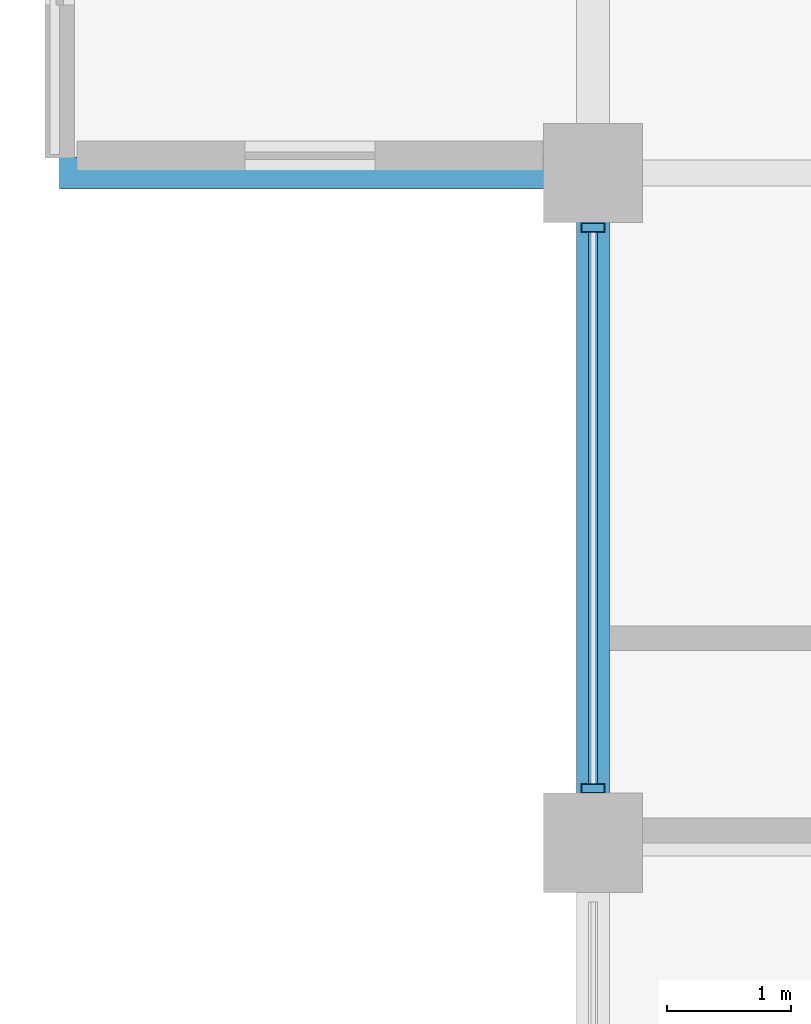
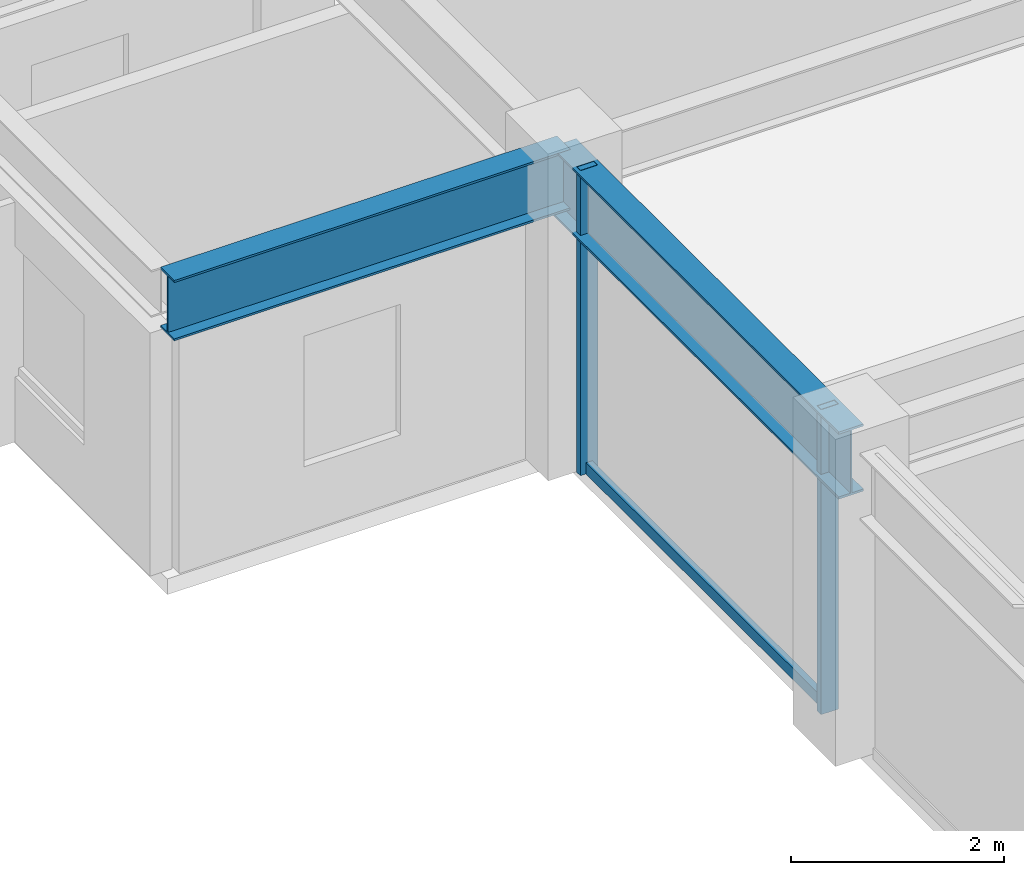
# One storey, part 5 of 28: 3 members, 2 beams, 1 element without a shape of its own.
"""IFC4 building model written with IfcOpenShell, lengths in metres."""

import ifcopenshell
import ifcopenshell.guid

model = None  # the IFC model being written
_history = None  # IfcOwnerHistory: only IFC2X3 demands one
_inside = {}  # id of a spatial element -> (the spatial element, [elements in it])
_under = {}  # id of a project, library or spatial element -> (it, [spatial elements below it])
_declared = {}  # id of a project -> (the project, [libraries it declares])
_typed = {}  # id of a type object -> (the type object, [elements of that type])
_made_of = {}  # id of a material, layer set ... -> (it, [elements and type objects made of it])


def new_model(schema):
    """Start an empty IFC model of exactly this schema.

    Asked for "IFC4X3", IfcOpenShell would pick the latest addendum, in which some entities
    have other attributes; the version numbers below select the first issue.
    IFC2X3 requires an IfcOwnerHistory on every rooted entity: one is made here for all.
    """
    global model, _history
    if schema == "IFC4X3":
        model = ifcopenshell.file(schema_version=(4, 3, 0, 0))
    else:
        model = ifcopenshell.file(schema=schema)
    _inside.clear()
    _under.clear()
    _declared.clear()
    _typed.clear()
    _made_of.clear()
    _history = None
    if model.schema == "IFC2X3":
        org = make("IfcOrganization", Name="unknown")
        user = make(
            "IfcPersonAndOrganization",
            ThePerson=make("IfcPerson", FamilyName="unknown"),
            TheOrganization=org,
        )
        app = make(
            "IfcApplication",
            ApplicationDeveloper=org,
            Version="unknown",
            ApplicationFullName="unknown",
            ApplicationIdentifier="unknown",
        )
        _history = make(
            "IfcOwnerHistory",
            OwningUser=user,
            OwningApplication=app,
            ChangeAction="ADDED",
            CreationDate=0,
        )
    return model


def make(cls, **values):
    """One entity of the class cls with the attributes given. An attribute that is None is left unset."""
    return model.create_entity(
        cls, **{name: value for name, value in values.items() if value is not None}
    )


def rooted(cls, **values):
    """An entity with a GlobalId (a new one), such as an element, a storey or a relation."""
    return make(cls, GlobalId=ifcopenshell.guid.new(), OwnerHistory=_history, **values)


def si_unit(unit_type, name, prefix=None):
    """IfcSIUnit, for example si_unit("LENGTHUNIT", "METRE", prefix="MILLI")."""
    return make("IfcSIUnit", UnitType=unit_type, Prefix=prefix, Name=name)


def assignment(units):
    """IfcUnitAssignment: the units of a project."""
    return None if units is None else make("IfcUnitAssignment", Units=units)


def point(xyz):
    """IfcCartesianPoint."""
    return None if xyz is None else make("IfcCartesianPoint", Coordinates=xyz)


def direction(xyz):
    """IfcDirection."""
    return None if xyz is None else make("IfcDirection", DirectionRatios=xyz)


def frame(location, z_axis=None, x_axis=None):
    """IfcAxis2Placement3D, a coordinate frame: its origin and axes. An axis left out is left unset."""
    return make(
        "IfcAxis2Placement3D",
        Location=point(location),
        Axis=direction(z_axis),
        RefDirection=direction(x_axis),
    )


def frame_2d(location, x_axis=None):
    """IfcAxis2Placement2D, a coordinate frame in the plane: its origin and x axis."""
    return make(
        "IfcAxis2Placement2D", Location=point(location), RefDirection=direction(x_axis)
    )


def origin():
    """The frame at (0, 0, 0) with its axes left unset."""
    return frame((0.0, 0.0, 0.0))


def origin_2d():
    """The frame at (0, 0) in the plane with its x axis left unset."""
    return frame_2d((0.0, 0.0))


def place(relative_to, where):
    """IfcLocalPlacement: puts the frame where relative to a parent placement (None: the world)."""
    return make(
        "IfcLocalPlacement", PlacementRelTo=relative_to, RelativePlacement=where
    )


def context(
    kind, dimensions, precision=None, world=None, true_north=None, identifier=None
):
    """IfcGeometricRepresentationContext, for example the 3D "Model" context."""
    return make(
        "IfcGeometricRepresentationContext",
        ContextIdentifier=identifier,
        ContextType=kind,
        CoordinateSpaceDimension=dimensions,
        Precision=precision,
        WorldCoordinateSystem=world,
        TrueNorth=true_north,
    )


def subcontext(parent, identifier, kind, view, scale=None):
    """IfcGeometricRepresentationSubContext, for example "Body" below "Model"."""
    return make(
        "IfcGeometricRepresentationSubContext",
        ContextIdentifier=identifier,
        ContextType=kind,
        ParentContext=parent,
        TargetScale=scale,
        TargetView=view,
    )


def project(units=None, contexts=None):
    """IfcProject with its units and contexts."""
    return rooted(
        "IfcProject",
        Name="project",
        RepresentationContexts=contexts,
        UnitsInContext=assignment(units),
    )


def spatial(cls, under=None, at=None, **own):
    """A site, building, storey or space (cls), placed at a placement, below another one or the project."""
    s = rooted(cls, ObjectPlacement=at, **own)
    if under is not None:
        _under.setdefault(under.id(), (under, []))[1].append(s)
    return s


def profile(cls, at=None, kind="AREA", **sizes):
    """A parametric profile (cls). Its sizes go by their IFC names, for example OverallWidth=200.0."""
    return make(cls, ProfileType=kind, Position=at, **sizes)


def hollow_rectangle(**sizes):
    """IfcRectangleHollowProfileDef."""
    return profile("IfcRectangleHollowProfileDef", **sizes)


def i_section(**sizes):
    """IfcIShapeProfileDef."""
    return profile("IfcIShapeProfileDef", **sizes)


def extrude(swept, where, along, depth):
    """IfcExtrudedAreaSolid: the profile swept, set in the frame where, extruded along a direction by depth."""
    return make(
        "IfcExtrudedAreaSolid",
        SweptArea=swept,
        Position=where,
        ExtrudedDirection=direction(along),
        Depth=depth,
    )


def shape(context_of_items, identifier, shape_type, items):
    """IfcShapeRepresentation: the items that make up one representation, for example the "Body"."""
    return make(
        "IfcShapeRepresentation",
        ContextOfItems=context_of_items,
        RepresentationIdentifier=identifier,
        RepresentationType=shape_type,
        Items=items,
    )


def material(Name=None, Category=None):
    """IfcMaterial."""
    return make("IfcMaterial", Name=Name, Category=Category)


def layer(
    of_material, thickness, ventilated=None, Name=None, Category=None, Priority=None
):
    """IfcMaterialLayer: one layer of a wall or slab, of a material (None: an air gap)."""
    return make(
        "IfcMaterialLayer",
        Material=of_material,
        LayerThickness=thickness,
        IsVentilated=ventilated,
        Name=Name,
        Category=Category,
        Priority=Priority,
    )


def layer_set(layers, Name=None):
    """IfcMaterialLayerSet."""
    return make("IfcMaterialLayerSet", MaterialLayers=layers, LayerSetName=Name)


def material_profile(
    of_material, cross_section, Name=None, Category=None, Priority=None
):
    """IfcMaterialProfile: a cross section and its material."""
    return make(
        "IfcMaterialProfile",
        Name=Name,
        Material=of_material,
        Profile=cross_section,
        Priority=Priority,
        Category=Category,
    )


def profile_set(profiles, Name=None, composite=None):
    """IfcMaterialProfileSet."""
    return make(
        "IfcMaterialProfileSet",
        Name=Name,
        MaterialProfiles=profiles,
        CompositeProfile=composite,
    )


def made_of(thing, what):
    """Note that an element or type object is made of a material, layer set ...; save() writes the relation."""
    if what is not None:
        _made_of.setdefault(what.id(), (what, []))[1].append(thing)
    return thing


def type_object(cls, material=None, **own):
    """A type object (cls), such as IfcWallType, which elements share."""
    return made_of(rooted(cls, **own), material)


def element(
    cls,
    number,
    at=None,
    inside=None,
    cuts=None,
    type_object=None,
    material=None,
    context=None,
    identifier="Body",
    shape_type=None,
    held_by="IfcProductDefinitionShape",
    body=None,
    shapes=None,
    **own,
):
    """One element of the class cls, such as IfcWall. Its Tag is "e" and its number.

    at: its placement. inside: the storey or other place that contains it. cuts: it is an
    opening in that element (IfcRelVoidsElement). A single representation is given by context,
    identifier, shape_type and body (its items); several are given by shapes. held_by: the class
    of the entity that holds the representations. save() writes the other relations.
    """
    e = rooted(cls, Tag="e%d" % number, ObjectPlacement=at, **own)
    if body is not None:
        shapes = [shape(context, identifier, shape_type, body)]
    if shapes is not None:
        e.Representation = make(held_by, Representations=shapes)
    if inside is not None:
        _inside.setdefault(inside.id(), (inside, []))[1].append(e)
    if cuts is not None:
        rooted(
            "IfcRelVoidsElement", RelatingBuildingElement=cuts, RelatedOpeningElement=e
        )
    if type_object is not None:
        _typed.setdefault(type_object.id(), (type_object, []))[1].append(e)
    return made_of(e, material)


def aggregate(whole, parts):
    """IfcRelAggregates: a whole, such as a stair, and the parts it consists of."""
    return rooted("IfcRelAggregates", RelatingObject=whole, RelatedObjects=parts)


def save(model, path):
    """Write the relations noted so far, then the file.

    IfcRelAggregates (storeys below a building ...), IfcRelContainedInSpatialStructure (elements
    in a storey), IfcRelDefinesByType, IfcRelAssociatesMaterial and IfcRelDeclares: one each for
    every whole, place, type object, material and project.
    """
    for whole, parts in _under.values():
        aggregate(whole, parts)
    for where, things in _inside.values():
        rooted(
            "IfcRelContainedInSpatialStructure",
            RelatedElements=things,
            RelatingStructure=where,
        )
    for kind, things in _typed.values():
        rooted("IfcRelDefinesByType", RelatedObjects=things, RelatingType=kind)
    for what, things in _made_of.values():
        rooted("IfcRelAssociatesMaterial", RelatedObjects=things, RelatingMaterial=what)
    for by, libraries in _declared.values():
        rooted("IfcRelDeclares", RelatingContext=by, RelatedDefinitions=libraries)
    model.write(path)


model = new_model("IFC4")

# Units and contexts
model_context = context("Model", 3, precision=1e-05, world=origin(), true_north=direction((0.0, 1.0)))
body_context = subcontext(model_context, "Body", "Model", "MODEL_VIEW")
ifc_project = project(units=[si_unit("LENGTHUNIT", "METRE"), si_unit("AREAUNIT", "SQUARE_METRE"), si_unit("VOLUMEUNIT", "CUBIC_METRE"), si_unit("PLANEANGLEUNIT", "RADIAN"), si_unit("MASSUNIT", "GRAM", prefix="KILO")], contexts=[model_context])

# Site, building, storey
site_placement = place(None, origin())
site = spatial("IfcSite", under=ifc_project, at=site_placement, CompositionType="ELEMENT")
building_placement = place(site_placement, origin())
building = spatial("IfcBuilding", under=site, at=building_placement, Name="Surkhivell Harbour Commons", CompositionType="ELEMENT")
storey_placement = place(building_placement, frame((0.0, 0.0, 246.0)))
storey = spatial("IfcBuildingStorey", under=building, at=storey_placement, Name="L64", CompositionType="ELEMENT", Elevation=246.0)

# Beams
ifc_material_1 = material(Name="Steel S460", Category="steel")
ifc_material_profile_1 = material_profile(ifc_material_1, i_section(OverallWidth=0.256103515625, OverallDepth=0.693115234375, WebThickness=0.014404296875, FlangeThickness=0.023681640625, at=origin_2d()), Name="UB686x254x170")
ifc_profile_set_1 = profile_set([ifc_material_profile_1], Name="Steel S460")
beam_type_1 = type_object("IfcBeamType", Name="BM-CNT-686", PredefinedType="BEAM", material=ifc_profile_set_1)
beam_1_placement = place(storey_placement, frame((-27.0, 0.0, 3.153564453125), z_axis=(-1.0, 0.0, 0.0), x_axis=(0.0, -1.0, 0.0)))
element("IfcBeam", 1, at=beam_1_placement, inside=storey, type_object=beam_type_1, Name="L64 Box Cantilever Outrigger (-27.0,0.0)", PredefinedType="BEAM", context=body_context, shape_type="SweptSolid", body=[
    extrude(i_section(OverallWidth=0.256103515625, OverallDepth=0.693115234375, WebThickness=0.014404296875, FlangeThickness=0.023681640625, at=origin_2d()), origin(), (0.0, 0.0, 1.0), 4.300048828125),
])
ifc_material_2 = material(Name="Steel S355", Category="steel")
ifc_material_profile_2 = material_profile(ifc_material_2, i_section(OverallWidth=0.26806640625, OverallDepth=0.77001953125, WebThickness=0.015625, FlangeThickness=0.025390625, at=origin_2d()), Name="UB762x267x197")
ifc_profile_set_2 = profile_set([ifc_material_profile_2], Name="Steel S355")
beam_type_2 = type_object("IfcBeamType", Name="BM-SPN-762", PredefinedType="SPANDREL", material=ifc_profile_set_2)
beam_2_placement = place(storey_placement, frame((-27.0, -5.39990234375, 3.114990234375), z_axis=(0.0, 1.0, 0.0), x_axis=(-1.0, 0.0, 0.0)))
element("IfcBeam", 2, at=beam_2_placement, inside=storey, type_object=beam_type_2, Name="L64 Tube Spandrel (-27.0,-5.4)", PredefinedType="SPANDREL", context=body_context, shape_type="SweptSolid", body=[
    extrude(i_section(OverallWidth=0.26806640625, OverallDepth=0.77001953125, WebThickness=0.015625, FlangeThickness=0.025390625, at=origin_2d()), origin(), (0.0, 0.0, 1.0), 5.39990234375),
])

# Curtain wall, members
ifc_material_3 = material(Name="Anodised pale-metal aluminium and insulated glazing", Category="aluminium")
ifc_layer = layer(ifc_material_3, 0.18994140625)
ifc_layer_set = layer_set([ifc_layer], Name="Anodised pale-metal aluminium and insulated glazing")
curtain_wall_type = type_object("IfcCurtainWallType", Name="CW-SYS-Z3", PredefinedType="NOTDEFINED", material=ifc_layer_set)
curtain_wall_placement = place(storey_placement, origin())
curtain_wall = element("IfcCurtainWall", 3, at=curtain_wall_placement, inside=storey, type_object=curtain_wall_type, Name="L64 Curtain Wall CW-L64-E12R1S1", PredefinedType="NOTDEFINED")
ifc_material_4 = material(Name="Anodised pale-metal aluminium alloy 6063-T6", Category="aluminium")
ifc_material_profile_3 = material_profile(ifc_material_4, hollow_rectangle(XDim=0.074951171875, YDim=0.18994140625, WallThickness=0.00390625, at=origin_2d()), Name="ALU-MULL-75x190")
ifc_profile_set_3 = profile_set([ifc_material_profile_3], Name="Anodised pale-metal aluminium alloy 6063-T6")
member_type_1 = type_object("IfcMemberType", Name="CWM-190", PredefinedType="MULLION", material=ifc_profile_set_3)
member_1_placement = place(storey_placement, frame((-27.0, -4.96044921875, 0.0), z_axis=(0.0, 0.0, 1.0), x_axis=(0.0, 1.0, 0.0)))
member_1 = element("IfcMember", 4, at=member_1_placement, type_object=member_type_1, Name="CW-Z3 mullion 2", PredefinedType="MULLION", context=body_context, shape_type="SweptSolid", body=[
    extrude(hollow_rectangle(XDim=0.074951171875, YDim=0.18994140625, WallThickness=0.00390625, at=origin_2d()), origin(), (0.0, 0.0, 1.0), 3.5),
])
member_2_placement = place(storey_placement, frame((-27.0, -0.439453125, 0.0), z_axis=(0.0, 0.0, 1.0), x_axis=(0.0, 1.0, 0.0)))
member_2 = element("IfcMember", 5, at=member_2_placement, type_object=member_type_1, Name="CW-Z3 mullion 3", PredefinedType="MULLION", context=body_context, shape_type="SweptSolid", body=[
    extrude(hollow_rectangle(XDim=0.074951171875, YDim=0.18994140625, WallThickness=0.00390625, at=origin_2d()), origin(), (0.0, 0.0, 1.0), 3.5),
])
ifc_material_5 = material(Name="Champagne anodised aluminium alloy 6063-T6", Category="aluminium")
ifc_material_profile_4 = material_profile(ifc_material_5, hollow_rectangle(XDim=0.070068359375, YDim=0.1298828125, WallThickness=0.00341796875, at=origin_2d()), Name="ALU-TRAN-70x130")
ifc_profile_set_4 = profile_set([ifc_material_profile_4], Name="Champagne anodised aluminium alloy 6063-T6")
member_type_2 = type_object("IfcMemberType", Name="CWT-130", PredefinedType="USERDEFINED", material=ifc_profile_set_4)
member_3_placement = place(storey_placement, frame((-27.0, -4.923095703125, 0.06494140625), z_axis=(0.0, 1.0, 0.0), x_axis=(-1.0, 0.0, 0.0)))
member_3 = element("IfcMember", 6, at=member_3_placement, type_object=member_type_2, Name="CW-Z3 transom 2.1", ObjectType="TRANSOM", PredefinedType="USERDEFINED", context=body_context, shape_type="SweptSolid", body=[
    extrude(hollow_rectangle(XDim=0.070068359375, YDim=0.1298828125, WallThickness=0.00341796875, at=origin_2d()), origin(), (0.0, 0.0, 1.0), 4.446044921875),
])
aggregate(curtain_wall, [member_1, member_2, member_3])

save(model, "model.ifc")
